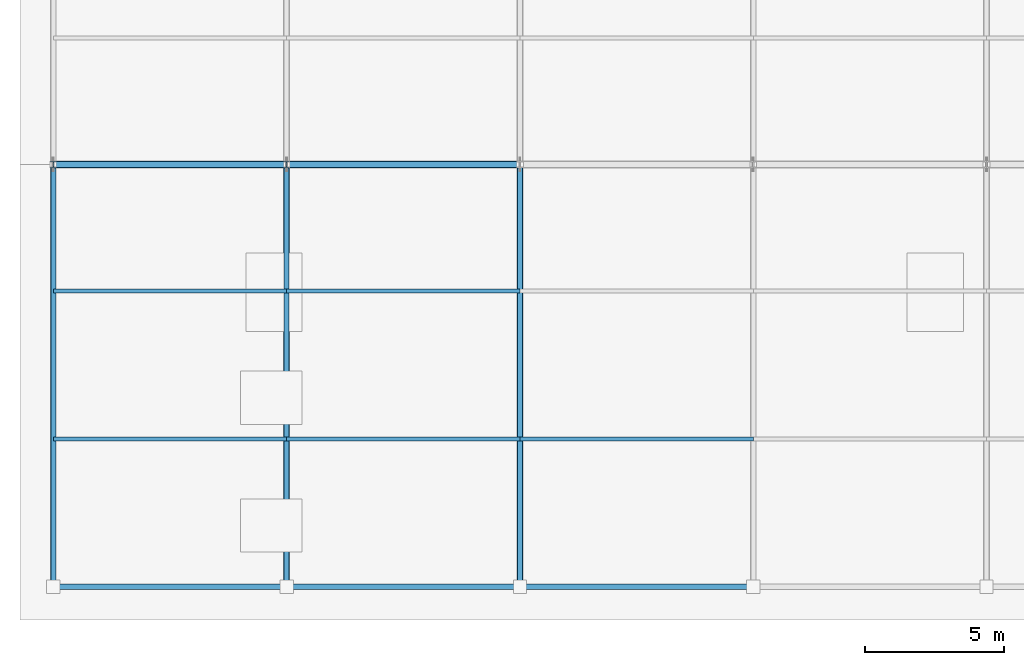
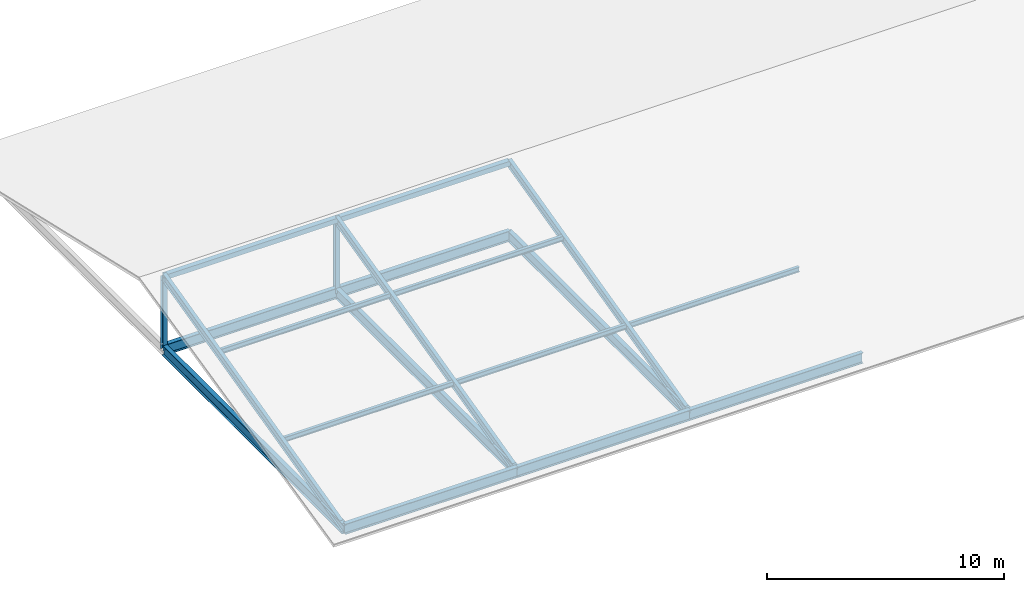
# One storey, part 1 of 8: 12 members, 8 beams.
"""IFC4 building model written with IfcOpenShell, lengths in metres."""

from ifc_helpers import new_model, si_unit, direction, frame, origin, origin_2d, place, context, subcontext, project, spatial, hollow_rectangle, i_section, extrude, material, material_profile, profile_set, type_object, element, save


model = new_model("IFC4")

# Units and contexts
model_context = context("Model", 3, precision=1e-05, world=origin(), true_north=direction((0.0, 1.0)))
body_context = subcontext(model_context, "Body", "Model", "MODEL_VIEW")
ifc_project = project(units=[si_unit("LENGTHUNIT", "METRE"), si_unit("AREAUNIT", "SQUARE_METRE"), si_unit("VOLUMEUNIT", "CUBIC_METRE"), si_unit("PLANEANGLEUNIT", "RADIAN"), si_unit("MASSUNIT", "GRAM", prefix="KILO")], contexts=[model_context])

# Site, building, storey
site_placement = place(None, origin())
site = spatial("IfcSite", under=ifc_project, at=site_placement, CompositionType="ELEMENT")
building_placement = place(site_placement, origin())
building = spatial("IfcBuilding", under=site, at=building_placement, Name="Zuvorla Pavilion Media Centre", CompositionType="ELEMENT")
storey_placement = place(building_placement, frame((0.0, 0.0, 31.199951171875)))
storey = spatial("IfcBuildingStorey", under=building, at=storey_placement, Name="RF", CompositionType="ELEMENT", Elevation=31.199951171875)

# Beams
ifc_material = material(Name="Steel S355", Category="steel")
ifc_material_profile_1 = material_profile(ifc_material, i_section(OverallWidth=0.2099609375, OverallDepth=0.53662109375, WebThickness=0.0107421875, FlangeThickness=0.017333984375, FilletRadius=0.0126953125, at=origin_2d()), Name="UB 533x210x101")
ifc_profile_set_1 = profile_set([ifc_material_profile_1], Name="Steel S355")
beam_type = type_object("IfcBeamType", Name="BM-UB533", PredefinedType="BEAM", material=ifc_profile_set_1)
beam_1_placement = place(storey_placement, frame((66.800048828125, 6.0, -0.280029296875), z_axis=(1.0, 0.0, 0.0), x_axis=(0.0, 1.0, 0.0)))
element("IfcBeam", 1, at=beam_1_placement, inside=storey, type_object=beam_type, Name="RF beam B08 1832", PredefinedType="BEAM", context=body_context, shape_type="SweptSolid", body=[
    extrude(i_section(OverallWidth=0.2099609375, OverallDepth=0.53662109375, WebThickness=0.0107421875, FlangeThickness=0.017333984375, FilletRadius=0.0126953125, at=origin_2d()), origin(), (0.0, 0.0, 1.0), 8.39990234375),
])
beam_2_placement = place(storey_placement, frame((75.199951171875, 6.0, -0.280029296875), z_axis=(1.0, 0.0, 0.0), x_axis=(0.0, 1.0, 0.0)))
element("IfcBeam", 2, at=beam_2_placement, inside=storey, type_object=beam_type, Name="RF beam B08 1833", PredefinedType="BEAM", context=body_context, shape_type="SweptSolid", body=[
    extrude(i_section(OverallWidth=0.2099609375, OverallDepth=0.53662109375, WebThickness=0.0107421875, FlangeThickness=0.017333984375, FilletRadius=0.0126953125, at=origin_2d()), origin(), (0.0, 0.0, 1.0), 8.400146484375),
])
for number, where, z_axis, x_axis, name in (
    (3, (83.60009765625, 6.0, -0.280029296875), (1.0, 0.0, 0.0), (0.0, 1.0, 0.0), "RF beam B08 1834"),
    (4, (66.800048828125, 21.199951171875, -0.280029296875), (1.0, 0.0, 0.0), (0.0, 1.0, 0.0), "RF beam B08 1837"),
):
    element("IfcBeam", number, at=place(storey_placement, frame(where, z_axis=z_axis, x_axis=x_axis)), inside=storey, type_object=beam_type, Name=name, PredefinedType="BEAM", context=body_context, shape_type="SweptSolid", body=[
        extrude(i_section(OverallWidth=0.2099609375, OverallDepth=0.53662109375, WebThickness=0.0107421875, FlangeThickness=0.017333984375, FilletRadius=0.0126953125, at=origin_2d()), origin(), (0.0, 0.0, 1.0), 8.39990234375),
    ])
beam_3_placement = place(storey_placement, frame((75.199951171875, 21.199951171875, -0.280029296875), z_axis=(1.0, 0.0, 0.0), x_axis=(0.0, 1.0, 0.0)))
element("IfcBeam", 5, at=beam_3_placement, inside=storey, type_object=beam_type, Name="RF beam B08 1838", PredefinedType="BEAM", context=body_context, shape_type="SweptSolid", body=[
    extrude(i_section(OverallWidth=0.2099609375, OverallDepth=0.53662109375, WebThickness=0.0107421875, FlangeThickness=0.017333984375, FilletRadius=0.0126953125, at=origin_2d()), origin(), (0.0, 0.0, 1.0), 8.400146484375),
])
for number, where, z_axis, x_axis, name in (
    (6, (66.800048828125, 6.0, -0.280029296875), (0.0, 1.0, 0.0), (-1.0, 0.0, 0.0), "RF beam B08 1847"),
    (7, (75.199951171875, 6.0, -0.280029296875), (0.0, 1.0, 0.0), (-1.0, 0.0, 0.0), "RF beam B08 1849"),
    (8, (83.60009765625, 6.0, -0.280029296875), (0.0, 1.0, 0.0), (-1.0, 0.0, 0.0), "RF beam B08 1851"),
):
    element("IfcBeam", number, at=place(storey_placement, frame(where, z_axis=z_axis, x_axis=x_axis)), inside=storey, type_object=beam_type, Name=name, PredefinedType="BEAM", context=body_context, shape_type="SweptSolid", body=[
        extrude(i_section(OverallWidth=0.2099609375, OverallDepth=0.53662109375, WebThickness=0.0107421875, FlangeThickness=0.017333984375, FilletRadius=0.0126953125, at=origin_2d()), origin(), (0.0, 0.0, 1.0), 15.199951171875),
    ])

# Members
ifc_material_profile_2 = material_profile(ifc_material, hollow_rectangle(XDim=0.25, YDim=0.25, WallThickness=0.012451171875, at=origin_2d()), Name="SHS 250x250x12.5")
ifc_profile_set_2 = profile_set([ifc_material_profile_2], Name="Steel S355")
member_type_1 = type_object("IfcMemberType", Name="MEM-CHD-SHS250", PredefinedType="CHORD", material=ifc_profile_set_2)
member_1_placement = place(storey_placement, frame((66.800048828125, 21.199951171875, 3.469970703125), z_axis=(1.0, 0.0, 0.0), x_axis=(0.0, 1.0, 0.0)))
element("IfcMember", 9, at=member_1_placement, inside=storey, type_object=member_type_1, Name="RF chord TC04 816", PredefinedType="CHORD", context=body_context, shape_type="SweptSolid", body=[
    extrude(hollow_rectangle(XDim=0.25, YDim=0.25, WallThickness=0.012451171875, at=origin_2d()), origin(), (0.0, 0.0, 1.0), 8.39990234375),
])
member_2_placement = place(storey_placement, frame((75.199951171875, 21.199951171875, 3.469970703125), z_axis=(1.0, 0.0, 0.0), x_axis=(0.0, 1.0, 0.0)))
element("IfcMember", 10, at=member_2_placement, inside=storey, type_object=member_type_1, Name="RF chord TC04 821", PredefinedType="CHORD", context=body_context, shape_type="SweptSolid", body=[
    extrude(hollow_rectangle(XDim=0.25, YDim=0.25, WallThickness=0.012451171875, at=origin_2d()), origin(), (0.0, 0.0, 1.0), 8.400146484375),
])
ifc_material_profile_3 = material_profile(ifc_material, i_section(OverallWidth=0.146484375, OverallDepth=0.256103515625, WebThickness=0.00634765625, FlangeThickness=0.010986328125, FilletRadius=0.007568359375, at=origin_2d()), Name="UB 254x146x37")
ifc_profile_set_3 = profile_set([ifc_material_profile_3], Name="Steel S355")
member_type_2 = type_object("IfcMemberType", Name="MEM-PUR-UB254", PredefinedType="PURLIN", material=ifc_profile_set_3)
for number, where, z_axis, x_axis, name in (
    (11, (66.800048828125, 11.320068359375, 1.032470703125), (1.0, 0.0, 0.0), (0.0, 1.0, 0.0), "RF purlin PR02 817"),
    (12, (66.800048828125, 16.639892578125, 2.344970703125), (1.0, 0.0, 0.0), (0.0, 1.0, 0.0), "RF purlin PR02 819"),
):
    element("IfcMember", number, at=place(storey_placement, frame(where, z_axis=z_axis, x_axis=x_axis)), inside=storey, type_object=member_type_2, Name=name, PredefinedType="PURLIN", context=body_context, shape_type="SweptSolid", body=[
        extrude(i_section(OverallWidth=0.146484375, OverallDepth=0.256103515625, WebThickness=0.00634765625, FlangeThickness=0.010986328125, FilletRadius=0.007568359375, at=origin_2d()), origin(), (0.0, 0.0, 1.0), 8.39990234375),
    ])
for number, where, z_axis, x_axis, name in (
    (13, (75.199951171875, 11.320068359375, 1.032470703125), (1.0, 0.0, 0.0), (0.0, 1.0, 0.0), "RF purlin PR02 822"),
    (14, (75.199951171875, 16.639892578125, 2.344970703125), (1.0, 0.0, 0.0), (0.0, 1.0, 0.0), "RF purlin PR02 824"),
):
    element("IfcMember", number, at=place(storey_placement, frame(where, z_axis=z_axis, x_axis=x_axis)), inside=storey, type_object=member_type_2, Name=name, PredefinedType="PURLIN", context=body_context, shape_type="SweptSolid", body=[
        extrude(i_section(OverallWidth=0.146484375, OverallDepth=0.256103515625, WebThickness=0.00634765625, FlangeThickness=0.010986328125, FilletRadius=0.007568359375, at=origin_2d()), origin(), (0.0, 0.0, 1.0), 8.400146484375),
    ])
member_3_placement = place(storey_placement, frame((83.60009765625, 11.320068359375, 1.032470703125), z_axis=(1.0, 0.0, 0.0), x_axis=(0.0, 1.0, 0.0)))
element("IfcMember", 15, at=member_3_placement, inside=storey, type_object=member_type_2, Name="RF purlin PR02 827", PredefinedType="PURLIN", context=body_context, shape_type="SweptSolid", body=[
    extrude(i_section(OverallWidth=0.146484375, OverallDepth=0.256103515625, WebThickness=0.00634765625, FlangeThickness=0.010986328125, FilletRadius=0.007568359375, at=origin_2d()), origin(), (0.0, 0.0, 1.0), 8.39990234375),
])
ifc_material_profile_4 = material_profile(ifc_material, i_section(OverallWidth=0.1787109375, OverallDepth=0.409423828125, WebThickness=0.0087890625, FlangeThickness=0.014404296875, FilletRadius=0.01025390625, at=origin_2d()), Name="UB 406x178x67")
ifc_profile_set_4 = profile_set([ifc_material_profile_4], Name="Steel S355")
member_type_3 = type_object("IfcMemberType", Name="MEM-RAF-UB406", PredefinedType="RAFTER", material=ifc_profile_set_4)
for number, where, z_axis, x_axis, name in (
    (16, (66.800048828125, 6.0, -0.280029296875), (0.0, 0.970889126904, 0.239529336951), (-1.0, 0.0, 0.0), "RF rafter RF01 799"),
    (17, (75.199951171875, 6.0, -0.280029296875), (0.0, 0.970889126904, 0.239529336951), (-1.0, 0.0, 0.0), "RF rafter RF01 802"),
    (18, (83.60009765625, 6.0, -0.280029296875), (0.0, 0.970889126904, 0.239529336951), (-1.0, 0.0, 0.0), "RF rafter RF01 805"),
):
    element("IfcMember", number, at=place(storey_placement, frame(where, z_axis=z_axis, x_axis=x_axis)), inside=storey, type_object=member_type_3, Name=name, PredefinedType="RAFTER", context=body_context, shape_type="SweptSolid", body=[
        extrude(i_section(OverallWidth=0.1787109375, OverallDepth=0.409423828125, WebThickness=0.0087890625, FlangeThickness=0.014404296875, FilletRadius=0.01025390625, at=origin_2d()), origin(), (0.0, 0.0, 1.0), 15.65576171875),
    ])
ifc_material_profile_5 = material_profile(ifc_material, i_section(OverallWidth=0.205810546875, OverallDepth=0.209716796875, WebThickness=0.009521484375, FlangeThickness=0.01416015625, FilletRadius=0.01025390625, at=origin_2d()), Name="UC 203x203x60")
ifc_profile_set_5 = profile_set([ifc_material_profile_5], Name="Steel S355")
member_type_4 = type_object("IfcMemberType", Name="MEM-STR-UC203", PredefinedType="STRUT", material=ifc_profile_set_5)
for number, where, z_axis, x_axis, name in (
    (19, (66.800048828125, 21.199951171875, -0.280029296875), (0.0, 0.0, 1.0), (1.0, 0.0, 0.0), "RF vertical strut TS02 798"),
    (20, (75.199951171875, 21.199951171875, -0.280029296875), (0.0, 0.0, 1.0), (1.0, 0.0, 0.0), "RF vertical strut TS02 801"),
):
    element("IfcMember", number, at=place(storey_placement, frame(where, z_axis=z_axis, x_axis=x_axis)), inside=storey, type_object=member_type_4, Name=name, PredefinedType="STRUT", context=body_context, shape_type="SweptSolid", body=[
        extrude(i_section(OverallWidth=0.205810546875, OverallDepth=0.209716796875, WebThickness=0.009521484375, FlangeThickness=0.01416015625, FilletRadius=0.01025390625, at=origin_2d()), origin(), (0.0, 0.0, 1.0), 3.75),
    ])

save(model, "model.ifc")
